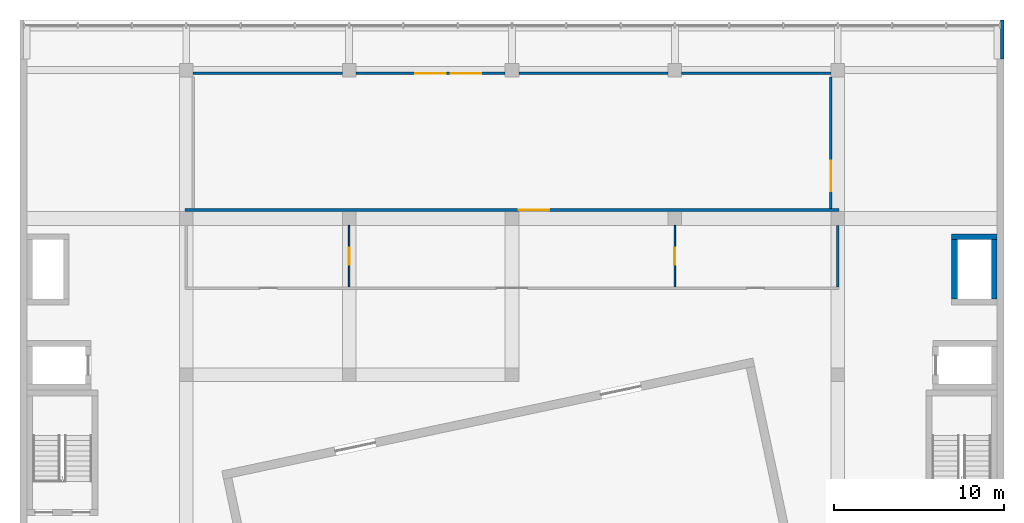
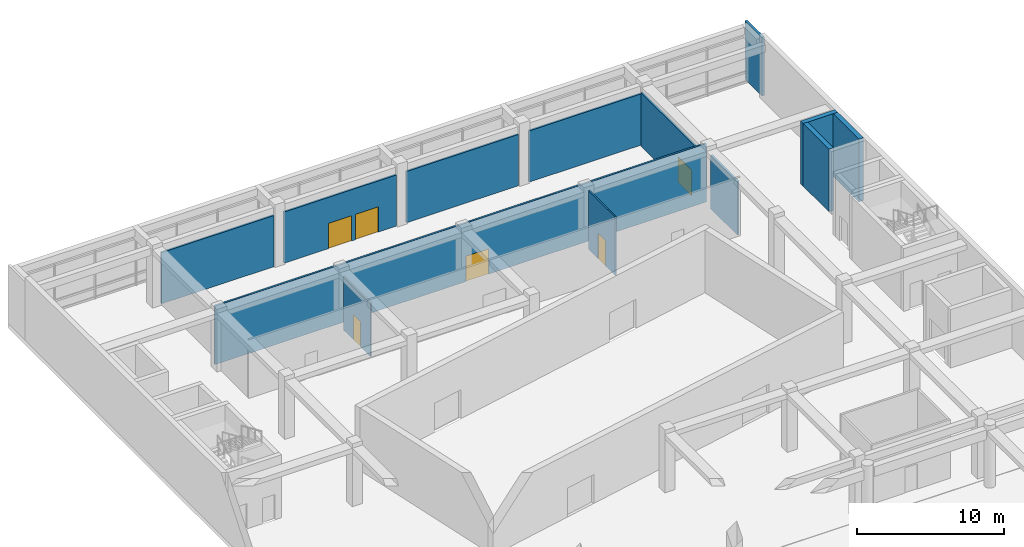
# One storey, part 14 of 31: 13 walls, 6 doors, 6 openings.
"""IFC4 building model written with IfcOpenShell, lengths in metres."""

from ifc_helpers import new_model, si_unit, direction, frame, frame_2d, origin, place, context, subcontext, project, spatial, rectangle, extrude, material, layer, layer_set, layer_usage, type_object, element, fill, save


model = new_model("IFC4")

# Units and contexts
model_context = context("Model", 3, precision=1e-05, world=origin(), true_north=direction((0.0, 1.0)))
body_context = subcontext(model_context, "Body", "Model", "MODEL_VIEW")
ifc_project = project(units=[si_unit("LENGTHUNIT", "METRE"), si_unit("AREAUNIT", "SQUARE_METRE"), si_unit("VOLUMEUNIT", "CUBIC_METRE"), si_unit("PLANEANGLEUNIT", "RADIAN"), si_unit("MASSUNIT", "GRAM", prefix="KILO")], contexts=[model_context])

# Site, building, storey
site_placement = place(None, origin())
site = spatial("IfcSite", under=ifc_project, at=site_placement, CompositionType="ELEMENT")
building_placement = place(site_placement, origin())
building = spatial("IfcBuilding", under=site, at=building_placement, Name="Nzadi Deep Aquarium and Research Tower", CompositionType="ELEMENT")
storey_placement = place(building_placement, frame((0.0, 0.0, 26.699951171875)))
storey = spatial("IfcBuildingStorey", under=building, at=storey_placement, Name="L04", CompositionType="ELEMENT", Elevation=26.699951171875)

# Wall
ifc_material_1 = material(Name="Graphite aluminium shingle", Category="aluminium")
ifc_layer_1 = layer(ifc_material_1, 0.050048828125, Category="cladding")
ifc_material_2 = material(Name="Concrete C35/45", Category="concrete")
ifc_layer_2 = layer(ifc_material_2, 0.10009765625, Category="cladding")
ifc_material_3 = material(Name="Mineral wool insulation")
ifc_layer_3 = layer(ifc_material_3, 0.050048828125, Category="insulation")
ifc_layer_set_1 = layer_set([ifc_layer_1, ifc_layer_2, ifc_layer_3], Name="Graphite aluminium shingle, Concrete C35/45, Mineral wool insulation")
ifc_layer_usage = layer_usage(ifc_layer_set_1, "AXIS2", "POSITIVE", -0.0999755859375)
wall_type_1 = type_object("IfcWallType", Name="End wall shingle over board-formed concrete 200", PredefinedType="ELEMENTEDWALL", material=ifc_layer_set_1)
wall_1_placement = place(storey_placement, frame((57.699462890625, 141.0, 0.0), z_axis=(0.0, 0.0, 1.0), x_axis=(0.0, 1.0, 0.0)))
element("IfcWall", 1, at=wall_1_placement, inside=storey, type_object=wall_type_1, material=ifc_layer_usage, Name="North cascade cheek wall L04", PredefinedType="ELEMENTEDWALL", context=body_context, shape_type="SweptSolid", body=[
    extrude(rectangle(XDim=2.300048828125, YDim=0.199951171875, at=frame_2d((1.14990234375, 0.0))), origin(), (0.0, 0.0, 1.0), 4.85009765625),
])

# Wall, opening, door
ifc_material_4 = material(Name="Blockwork masonry", Category="masonry")
ifc_layer_4 = layer(ifc_material_4, 0.10009765625)
ifc_layer_set_2 = layer_set([ifc_layer_4], Name="Blockwork masonry")
wall_type_2 = type_object("IfcWallType", Name="Partition 100 EI 30", PredefinedType="PARTITIONING", material=ifc_layer_set_2)
wall_2_placement = place(storey_placement, frame((38.39990234375, 127.574951171875, 0.0), z_axis=(0.0, 0.0, 1.0), x_axis=(0.0, 1.0, 0.0)))
wall_2 = element("IfcWall", 2, at=wall_2_placement, inside=storey, type_object=wall_type_2, Name="W-Z3-L04-P014", PredefinedType="PARTITIONING", context=body_context, shape_type="SweptSolid", body=[
    extrude(rectangle(XDim=3.625, YDim=0.10009765625, at=frame_2d((1.8125, 0.0))), origin(), (0.0, 0.0, 1.0), 4.85009765625),
])
opening_1_placement = place(wall_2_placement, frame((1.31201171875, 0.0, 0.0)))
opening_1 = element("IfcOpeningElement", 3, at=opening_1_placement, cuts=wall_2, Name="Opening D053012", PredefinedType="OPENING", context=body_context, shape_type="SweptSolid", body=[
    extrude(rectangle(XDim=1.0, YDim=2.10009765625, at=frame_2d((0.5, 1.050048828125))), frame((0.0, 0.06005859375, 0.0), z_axis=(0.0, -1.0, 0.0), x_axis=(1.0, 0.0, 0.0)), (0.0, 0.0, 1.0), 0.1201171875),
])
ifc_material_5 = material(Name="Fire-rated steel door", Category="steel")
ifc_layer_5 = layer(ifc_material_5, 0.050048828125)
ifc_layer_set_3 = layer_set([ifc_layer_5], Name="Fire-rated steel door")
door_type_1 = type_object("IfcDoorType", Name="Door 1000x2100 EI 30 single", OperationType="SINGLE_SWING_LEFT", PredefinedType="DOOR", material=ifc_layer_set_3)
door_1_placement = place(opening_1_placement, origin())
door_1 = element("IfcDoor", 4, at=door_1_placement, inside=storey, type_object=door_type_1, Name="D053012", OperationType="SINGLE_SWING_RIGHT", OverallHeight=2.10009765625, OverallWidth=1.0, PredefinedType="DOOR", context=body_context, shape_type="SweptSolid", body=[
    extrude(rectangle(XDim=1.0, YDim=2.10009765625, at=frame_2d((0.5, 1.050048828125))), frame((0.0, 0.02490234375, 0.0), z_axis=(0.0, -1.0, 0.0), x_axis=(1.0, 0.0, 0.0)), (0.0, 0.0, 1.0), 0.050048828125),
])
fill(opening_1, door_1)

ifc_material_6 = material(Name="Blockwork masonry", Category="masonry")
ifc_layer_6 = layer(ifc_material_6, 0.10009765625)
ifc_layer_set_4 = layer_set([ifc_layer_6], Name="Blockwork masonry")
wall_type_3 = type_object("IfcWallType", Name="Partition 100 EI 30, 4.45 m high", PredefinedType="PARTITIONING", material=ifc_layer_set_4)
wall_3_placement = place(storey_placement, frame((19.199951171875, 127.574951171875, 0.0), z_axis=(0.0, 0.0, 1.0), x_axis=(0.0, 1.0, 0.0)))
wall_3 = element("IfcWall", 5, at=wall_3_placement, inside=storey, type_object=wall_type_3, Name="W-Z3-L04-P010", PredefinedType="PARTITIONING", context=body_context, shape_type="SweptSolid", body=[
    extrude(rectangle(XDim=3.625, YDim=0.10009765625, at=frame_2d((1.8125, 0.0))), origin(), (0.0, 0.0, 1.0), 4.449951171875),
])
opening_2_placement = place(wall_3_placement, frame((1.31201171875, 0.0, 0.0)))
opening_2 = element("IfcOpeningElement", 6, at=opening_2_placement, cuts=wall_3, Name="Opening D053011", PredefinedType="OPENING", context=body_context, shape_type="SweptSolid", body=[
    extrude(rectangle(XDim=1.0, YDim=2.10009765625, at=frame_2d((0.5, 1.050048828125))), frame((0.0, 0.06005859375, 0.0), z_axis=(0.0, -1.0, 0.0), x_axis=(1.0, 0.0, 0.0)), (0.0, 0.0, 1.0), 0.1201171875),
])
door_2_placement = place(opening_2_placement, origin())
door_2 = element("IfcDoor", 7, at=door_2_placement, inside=storey, type_object=door_type_1, Name="D053011", OperationType="SINGLE_SWING_LEFT", OverallHeight=2.10009765625, OverallWidth=1.0, PredefinedType="DOOR", context=body_context, shape_type="SweptSolid", body=[
    extrude(rectangle(XDim=1.0, YDim=2.10009765625, at=frame_2d((0.5, 1.050048828125))), frame((0.0, 0.02490234375, 0.0), z_axis=(0.0, -1.0, 0.0), x_axis=(1.0, 0.0, 0.0)), (0.0, 0.0, 1.0), 0.050048828125),
])
fill(opening_2, door_2)

ifc_material_7 = material(Name="Blockwork masonry", Category="masonry")
ifc_layer_7 = layer(ifc_material_7, 0.14990234375)
ifc_layer_set_5 = layer_set([ifc_layer_7], Name="Blockwork masonry")
wall_type_4 = type_object("IfcWallType", Name="Partition 150 EI 60", PredefinedType="PARTITIONING", material=ifc_layer_set_5)
wall_4_placement = place(storey_placement, frame((9.52490234375, 132.10009765625, 0.0), z_axis=(0.0, 0.0, 1.0), x_axis=(1.0, 0.0, 0.0)))
wall_4 = element("IfcWall", 8, at=wall_4_placement, inside=storey, type_object=wall_type_4, Name="W-Z3-L04-P006", PredefinedType="PARTITIONING", context=body_context, shape_type="SweptSolid", body=[
    extrude(rectangle(XDim=38.550048828125, YDim=0.14990234375, at=frame_2d((19.27490234375, 0.0))), origin(), (0.0, 0.0, 1.0), 4.85009765625),
])
opening_3_placement = place(wall_4_placement, frame((19.675048828125, 0.0, 0.0)))
opening_3 = element("IfcOpeningElement", 9, at=opening_3_placement, cuts=wall_4, Name="Opening D053007", PredefinedType="OPENING", context=body_context, shape_type="SweptSolid", body=[
    extrude(rectangle(XDim=1.800048828125, YDim=2.10009765625, at=frame_2d((0.89990234375, 1.050048828125))), frame((0.0, 0.0849609375, 0.0), z_axis=(0.0, -1.0, 0.0), x_axis=(1.0, 0.0, 0.0)), (0.0, 0.0, 1.0), 0.169921875),
])
ifc_material_8 = material(Name="Fire-rated steel door", Category="steel")
ifc_layer_8 = layer(ifc_material_8, 0.050048828125)
ifc_layer_set_6 = layer_set([ifc_layer_8], Name="Fire-rated steel door")
door_type_2 = type_object("IfcDoorType", Name="Door 1800x2100 EI 60 double", OperationType="DOUBLE_DOOR_SINGLE_SWING", PredefinedType="DOOR", material=ifc_layer_set_6)
door_3_placement = place(opening_3_placement, origin())
door_3 = element("IfcDoor", 10, at=door_3_placement, inside=storey, type_object=door_type_2, Name="D053007", OperationType="DOUBLE_DOOR_SINGLE_SWING", OverallHeight=2.10009765625, OverallWidth=1.800048828125, PredefinedType="DOOR", context=body_context, shape_type="SweptSolid", body=[
    extrude(rectangle(XDim=1.800048828125, YDim=2.10009765625, at=frame_2d((0.89990234375, 1.050048828125))), frame((0.0, 0.02490234375, 0.0), z_axis=(0.0, -1.0, 0.0), x_axis=(1.0, 0.0, 0.0)), (0.0, 0.0, 1.0), 0.050048828125),
])
fill(opening_3, door_3)

# Wall
ifc_material_9 = material(Name="Blockwork masonry", Category="masonry")
ifc_layer_9 = layer(ifc_material_9, 0.14990234375)
ifc_layer_set_7 = layer_set([ifc_layer_9], Name="Blockwork masonry")
wall_type_5 = type_object("IfcWallType", Name="Partition 150 EI 60, 4.25 m high", PredefinedType="PARTITIONING", material=ifc_layer_set_7)
wall_5_placement = place(storey_placement, frame((10.0, 140.14990234375, 0.0), z_axis=(0.0, 0.0, 1.0), x_axis=(1.0, 0.0, 0.0)))
element("IfcWall", 11, at=wall_5_placement, inside=storey, type_object=wall_type_5, Name="W-Z3-L04-P008", PredefinedType="PARTITIONING", context=body_context, shape_type="SweptSolid", body=[
    extrude(rectangle(XDim=8.800048828125, YDim=0.14990234375, at=frame_2d((4.39990234375, 0.0))), origin(), (0.0, 0.0, 1.0), 4.25),
])

# Wall, openings, doors
wall_6_placement = place(storey_placement, frame((19.60009765625, 140.14990234375, 0.0), z_axis=(0.0, 0.0, 1.0), x_axis=(1.0, 0.0, 0.0)))
wall_6 = element("IfcWall", 12, at=wall_6_placement, inside=storey, type_object=wall_type_5, Name="W-Z3-L04-P012", PredefinedType="PARTITIONING", context=body_context, shape_type="SweptSolid", body=[
    extrude(rectangle(XDim=8.7998046875, YDim=0.14990234375, at=frame_2d((4.39990234375, 0.0))), origin(), (0.0, 0.0, 1.0), 4.25),
])
opening_4_placement = place(wall_6_placement, frame((3.5, 0.0, 0.0)))
opening_4 = element("IfcOpeningElement", 13, at=opening_4_placement, cuts=wall_6, Name="Opening D053004", PredefinedType="OPENING", context=body_context, shape_type="SweptSolid", body=[
    extrude(rectangle(XDim=1.800048828125, YDim=2.10009765625, at=frame_2d((0.89990234375, 1.050048828125))), frame((0.0, 0.0849609375, 0.0), z_axis=(0.0, -1.0, 0.0), x_axis=(1.0, 0.0, 0.0)), (0.0, 0.0, 1.0), 0.169921875),
])
opening_5_placement = place(wall_6_placement, frame((5.60009765625, 0.0, 0.0)))
opening_5 = element("IfcOpeningElement", 14, at=opening_5_placement, cuts=wall_6, Name="Opening D053005", PredefinedType="OPENING", context=body_context, shape_type="SweptSolid", body=[
    extrude(rectangle(XDim=1.800048828125, YDim=2.10009765625, at=frame_2d((0.89990234375, 1.050048828125))), frame((0.0, 0.0849609375, 0.0), z_axis=(0.0, -1.0, 0.0), x_axis=(1.0, 0.0, 0.0)), (0.0, 0.0, 1.0), 0.169921875),
])
door_4_placement = place(opening_4_placement, origin())
door_4 = element("IfcDoor", 15, at=door_4_placement, inside=storey, type_object=door_type_2, Name="D053004", OperationType="DOUBLE_DOOR_SINGLE_SWING", OverallHeight=2.10009765625, OverallWidth=1.800048828125, PredefinedType="DOOR", context=body_context, shape_type="SweptSolid", body=[
    extrude(rectangle(XDim=1.800048828125, YDim=2.10009765625, at=frame_2d((0.89990234375, 1.050048828125))), frame((0.0, 0.02490234375, 0.0), z_axis=(0.0, -1.0, 0.0), x_axis=(1.0, 0.0, 0.0)), (0.0, 0.0, 1.0), 0.050048828125),
])
fill(opening_4, door_4)
door_5_placement = place(opening_5_placement, origin())
door_5 = element("IfcDoor", 16, at=door_5_placement, inside=storey, type_object=door_type_2, Name="D053005", OperationType="DOUBLE_DOOR_SINGLE_SWING", OverallHeight=2.10009765625, OverallWidth=1.800048828125, PredefinedType="DOOR", context=body_context, shape_type="SweptSolid", body=[
    extrude(rectangle(XDim=1.800048828125, YDim=2.10009765625, at=frame_2d((0.89990234375, 1.050048828125))), frame((0.0, 0.02490234375, 0.0), z_axis=(0.0, -1.0, 0.0), x_axis=(1.0, 0.0, 0.0)), (0.0, 0.0, 1.0), 0.050048828125),
])
fill(opening_5, door_5)

# Walls
for number, where, z_axis, x_axis, name in (
    (17, (29.199951171875, 140.14990234375, 0.0), (0.0, 0.0, 1.0), (1.0, 0.0, 0.0), "W-Z3-L04-P013"),
    (18, (38.800048828125, 140.14990234375, 0.0), (0.0, 0.0, 1.0), (1.0, 0.0, 0.0), "W-Z3-L04-P015"),
):
    element("IfcWall", number, at=place(storey_placement, frame(where, z_axis=z_axis, x_axis=x_axis)), inside=storey, type_object=wall_type_5, Name=name, PredefinedType="PARTITIONING", context=body_context, shape_type="SweptSolid", body=[
        extrude(rectangle(XDim=8.800048828125, YDim=0.14990234375, at=frame_2d((4.39990234375, 0.0))), origin(), (0.0, 0.0, 1.0), 4.25),
    ])

# Wall, opening, door
ifc_material_10 = material(Name="Blockwork masonry", Category="masonry")
ifc_layer_10 = layer(ifc_material_10, 0.14990234375)
ifc_layer_set_8 = layer_set([ifc_layer_10], Name="Blockwork masonry")
wall_type_6 = type_object("IfcWallType", Name="Partition 150 EI 60, 4.45 m high", PredefinedType="PARTITIONING", material=ifc_layer_set_8)
wall_7_placement = place(storey_placement, frame((47.60009765625, 132.175048828125, 0.0), z_axis=(0.0, 0.0, 1.0), x_axis=(0.0, 1.0, 0.0)))
wall_7 = element("IfcWall", 19, at=wall_7_placement, inside=storey, type_object=wall_type_6, Name="W-Z3-L04-P020", PredefinedType="PARTITIONING", context=body_context, shape_type="SweptSolid", body=[
    extrude(rectangle(XDim=7.77490234375, YDim=0.14990234375, at=frame_2d((3.887451171875, 0.0))), origin(), (0.0, 0.0, 1.0), 4.449951171875),
])
opening_6_placement = place(wall_7_placement, frame((1.034912109375, 0.0, 0.0)))
opening_6 = element("IfcOpeningElement", 20, at=opening_6_placement, cuts=wall_7, Name="Opening D053006", PredefinedType="OPENING", context=body_context, shape_type="SweptSolid", body=[
    extrude(rectangle(XDim=1.800048828125, YDim=2.10009765625, at=frame_2d((0.89990234375, 1.050048828125))), frame((0.0, 0.0849609375, 0.0), z_axis=(0.0, -1.0, 0.0), x_axis=(1.0, 0.0, 0.0)), (0.0, 0.0, 1.0), 0.169921875),
])
door_6_placement = place(opening_6_placement, origin())
door_6 = element("IfcDoor", 21, at=door_6_placement, inside=storey, type_object=door_type_2, Name="D053006", OperationType="DOUBLE_DOOR_SINGLE_SWING", OverallHeight=2.10009765625, OverallWidth=1.800048828125, PredefinedType="DOOR", context=body_context, shape_type="SweptSolid", body=[
    extrude(rectangle(XDim=1.800048828125, YDim=2.10009765625, at=frame_2d((0.89990234375, 1.050048828125))), frame((0.0, 0.02490234375, 0.0), z_axis=(0.0, -1.0, 0.0), x_axis=(1.0, 0.0, 0.0)), (0.0, 0.0, 1.0), 0.050048828125),
])
fill(opening_6, door_6)

# Walls
wall_8_placement = place(storey_placement, frame((48.0, 127.574951171875, 0.0), z_axis=(0.0, 0.0, 1.0), x_axis=(0.0, 1.0, 0.0)))
element("IfcWall", 22, at=wall_8_placement, inside=storey, type_object=wall_type_6, Name="W-Z3-L04-P021", PredefinedType="PARTITIONING", context=body_context, shape_type="SweptSolid", body=[
    extrude(rectangle(XDim=3.625, YDim=0.14990234375, at=frame_2d((1.8125, 0.0))), origin(), (0.0, 0.0, 1.0), 4.449951171875),
])
ifc_material_11 = material(Name="Concrete C35/45", Category="concrete")
ifc_layer_11 = layer(ifc_material_11, 0.35009765625)
ifc_layer_set_9 = layer_set([ifc_layer_11], Name="Concrete C35/45")
wall_type_7 = type_object("IfcWallType", Name="RC core wall 350", PredefinedType="SHEAR", material=ifc_layer_set_9)
wall_9_placement = place(storey_placement, frame((54.699951171875, 130.52490234375, 0.0), z_axis=(0.0, 0.0, 1.0), x_axis=(1.0, 0.0, 0.0)))
element("IfcWall", 23, at=wall_9_placement, inside=storey, type_object=wall_type_7, Name="W-CORE-RS-Z3-E-L04-N", PredefinedType="SHEAR", context=body_context, shape_type="SweptSolid", body=[
    extrude(rectangle(XDim=2.699951171875, YDim=0.35009765625, at=frame_2d((1.35009765625, 0.0))), origin(), (0.0, 0.0, 1.0), 5.199951171875),
])
for number, where, z_axis, x_axis, name in (
    (24, (54.875, 126.85009765625, 0.0), (0.0, 0.0, 1.0), (0.0, 1.0, 0.0), "W-CORE-RS-Z3-E-L04-W"),
    (25, (57.22509765625, 126.85009765625, 0.0), (0.0, 0.0, 1.0), (0.0, 1.0, 0.0), "W-CORE-RS-Z3-E-L04-E"),
):
    element("IfcWall", number, at=place(storey_placement, frame(where, z_axis=z_axis, x_axis=x_axis)), inside=storey, type_object=wall_type_7, Name=name, PredefinedType="SHEAR", context=body_context, shape_type="SweptSolid", body=[
        extrude(rectangle(XDim=3.5, YDim=0.35009765625, at=frame_2d((1.75, 0.0))), origin(), (0.0, 0.0, 1.0), 5.199951171875),
    ])

save(model, "model.ifc")
